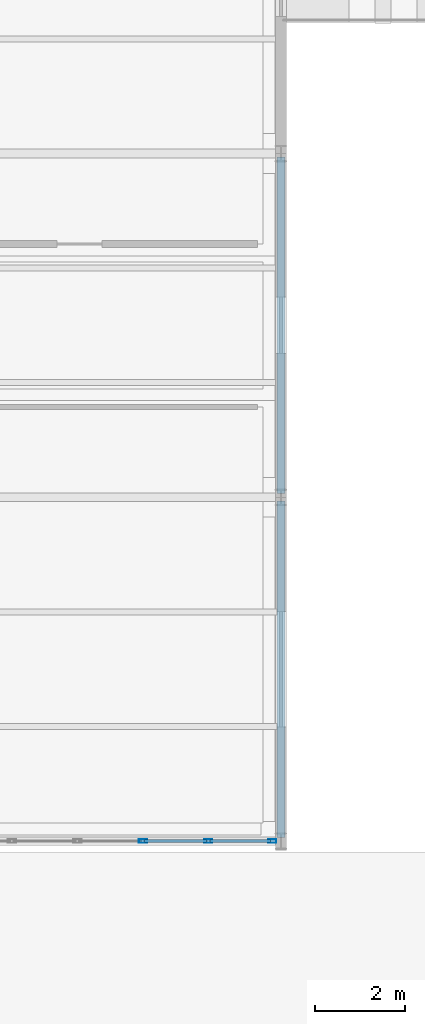
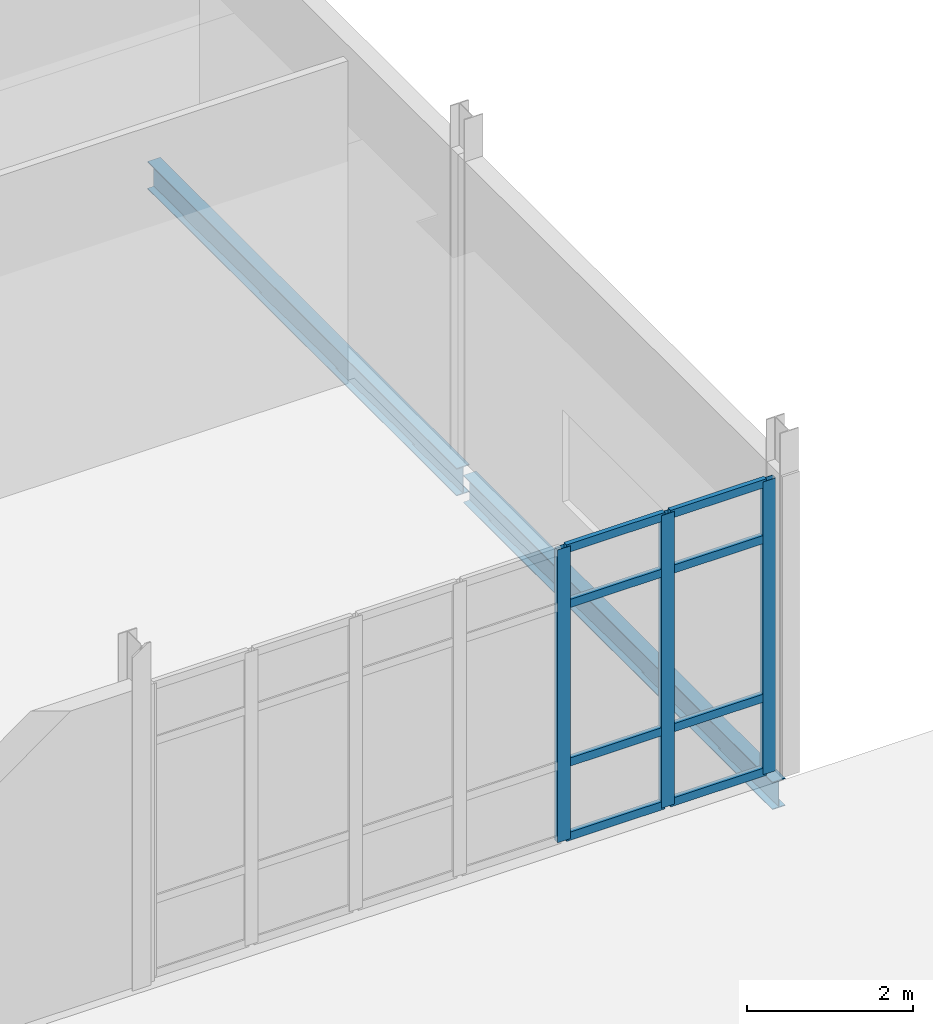
# One storey, part 86 of 161: 11 members, 2 beams, 1 element without a shape of its own.
"""IFC4 building model written with IfcOpenShell, lengths in metres."""

from ifc_helpers import new_model, si_unit, direction, frame, origin, origin_2d, place, context, subcontext, project, spatial, hollow_rectangle, i_section, extrude, material, material_profile, profile_set, type_object, element, aggregate, save


model = new_model("IFC4")

# Units and contexts
model_context = context("Model", 3, precision=1e-05, world=origin(), true_north=direction((0.0, 1.0)))
body_context = subcontext(model_context, "Body", "Model", "MODEL_VIEW")
ifc_project = project(units=[si_unit("LENGTHUNIT", "METRE"), si_unit("AREAUNIT", "SQUARE_METRE"), si_unit("VOLUMEUNIT", "CUBIC_METRE"), si_unit("PLANEANGLEUNIT", "RADIAN"), si_unit("MASSUNIT", "GRAM", prefix="KILO")], contexts=[model_context])

# Site, building, storey
site_placement = place(None, origin())
site = spatial("IfcSite", under=ifc_project, at=site_placement, CompositionType="ELEMENT")
building_placement = place(site_placement, origin())
building = spatial("IfcBuilding", under=site, at=building_placement, Name="Caisbarro Railhouse Central Library", CompositionType="ELEMENT")
storey_placement = place(building_placement, origin())
storey = spatial("IfcBuildingStorey", under=building, at=storey_placement, Name="L00", CompositionType="ELEMENT", Elevation=0.0)

# Beams
ifc_material_1 = material(Name="Steel ASTM A572 Grade 50", Category="steel")
ifc_material_profile_1 = material_profile(ifc_material_1, i_section(OverallWidth=0.177978515625, OverallDepth=0.406982421875, WebThickness=0.0078125, FlangeThickness=0.0126953125, FilletRadius=0.01611328125, at=origin_2d()), Name="W410X60.0")
ifc_profile_set_1 = profile_set([ifc_material_profile_1], Name="Steel ASTM A572 Grade 50")
beam_type = type_object("IfcBeamType", Name="BM-G10", PredefinedType="BEAM", material=ifc_profile_set_1)
beam_1_placement = place(storey_placement, frame((99.0, 83.679931640625, -0.45361328125), z_axis=(0.0, 1.0, 0.0), x_axis=(-1.0, 0.0, 0.0)))
element("IfcBeam", 1, at=beam_1_placement, inside=storey, type_object=beam_type, Name="G10 beam L00 #648", PredefinedType="BEAM", context=body_context, shape_type="SweptSolid", body=[
    extrude(i_section(OverallWidth=0.177978515625, OverallDepth=0.406982421875, WebThickness=0.0078125, FlangeThickness=0.0126953125, FilletRadius=0.01611328125, at=origin_2d()), origin(), (0.0, 0.0, 1.0), 7.440185546875),
])
beam_2_placement = place(storey_placement, frame((99.0, 91.280029296875, -0.45361328125), z_axis=(0.0, 1.0, 0.0), x_axis=(-1.0, 0.0, 0.0)))
element("IfcBeam", 2, at=beam_2_placement, inside=storey, type_object=beam_type, Name="G10 beam L00 #649", PredefinedType="BEAM", context=body_context, shape_type="SweptSolid", body=[
    extrude(i_section(OverallWidth=0.177978515625, OverallDepth=0.406982421875, WebThickness=0.0078125, FlangeThickness=0.0126953125, FilletRadius=0.01611328125, at=origin_2d()), origin(), (0.0, 0.0, 1.0), 7.43994140625),
])

# Curtain wall, members
ifc_material_2 = material(Name="Anodised architectural aluminium", Category="aluminium")
curtain_wall_type = type_object("IfcCurtainWallType", Name="CW-CW02", PredefinedType="NOTDEFINED", material=ifc_material_2)
curtain_wall_placement = place(storey_placement, origin())
curtain_wall = element("IfcCurtainWall", 3, at=curtain_wall_placement, inside=storey, type_object=curtain_wall_type, Name="CW02 curtain wall L00 #170", PredefinedType="NOTDEFINED")
ifc_material_profile_2 = material_profile(ifc_material_2, hollow_rectangle(XDim=0.074951171875, YDim=0.179931640625, WallThickness=0.00439453125, at=origin_2d()), Name="ALU-MUL-75X180")
ifc_profile_set_2 = profile_set([ifc_material_profile_2], Name="Anodised architectural aluminium")
member_type_1 = type_object("IfcMemberType", Name="CWM-M01", PredefinedType="MULLION", material=ifc_profile_set_2)
member_1_placement = place(storey_placement, frame((95.94677734375, 83.60009765625, 0.0), z_axis=(0.0, 0.0, 1.0), x_axis=(0.0, 1.0, 0.0)))
member_1 = element("IfcMember", 4, at=member_1_placement, type_object=member_type_1, Name="CW02 mullion 5", PredefinedType="MULLION", context=body_context, shape_type="SweptSolid", body=[
    extrude(hollow_rectangle(XDim=0.074951171875, YDim=0.179931640625, WallThickness=0.00439453125, at=origin_2d()), origin(), (0.0, 0.0, 1.0), 4.300048828125),
])
member_2_placement = place(storey_placement, frame((97.393310546875, 83.60009765625, 0.0), z_axis=(0.0, 0.0, 1.0), x_axis=(0.0, 1.0, 0.0)))
member_2 = element("IfcMember", 5, at=member_2_placement, type_object=member_type_1, Name="CW02 mullion 6", PredefinedType="MULLION", context=body_context, shape_type="SweptSolid", body=[
    extrude(hollow_rectangle(XDim=0.074951171875, YDim=0.179931640625, WallThickness=0.00439453125, at=origin_2d()), origin(), (0.0, 0.0, 1.0), 4.300048828125),
])
member_3_placement = place(storey_placement, frame((98.802490234375, 83.60009765625, 0.0), z_axis=(0.0, 0.0, 1.0), x_axis=(0.0, 1.0, 0.0)))
member_3 = element("IfcMember", 6, at=member_3_placement, type_object=member_type_1, Name="CW02 mullion 7", PredefinedType="MULLION", context=body_context, shape_type="SweptSolid", body=[
    extrude(hollow_rectangle(XDim=0.074951171875, YDim=0.179931640625, WallThickness=0.00439453125, at=origin_2d()), origin(), (0.0, 0.0, 1.0), 4.300048828125),
])
ifc_material_profile_3 = material_profile(ifc_material_2, hollow_rectangle(XDim=0.06494140625, YDim=0.1201171875, WallThickness=0.00341796875, at=origin_2d()), Name="ALU-TRN-65X120")
ifc_profile_set_3 = profile_set([ifc_material_profile_3], Name="Anodised architectural aluminium")
member_type_2 = type_object("IfcMemberType", Name="CWT-T02", PredefinedType="USERDEFINED", material=ifc_profile_set_3)
member_4_placement = place(storey_placement, frame((95.984130859375, 83.60009765625, 0.032470703125), z_axis=(1.0, 0.0, 0.0), x_axis=(0.0, 1.0, 0.0)))
member_4 = element("IfcMember", 7, at=member_4_placement, type_object=member_type_2, Name="CW02 transom 5.1", ObjectType="TRANSOM", PredefinedType="USERDEFINED", context=body_context, shape_type="SweptSolid", body=[
    extrude(hollow_rectangle(XDim=0.06494140625, YDim=0.1201171875, WallThickness=0.00341796875, at=origin_2d()), origin(), (0.0, 0.0, 1.0), 1.37158203125),
])
member_5_placement = place(storey_placement, frame((95.984130859375, 83.60009765625, 1.1201171875), z_axis=(1.0, 0.0, 0.0), x_axis=(0.0, 1.0, 0.0)))
member_5 = element("IfcMember", 8, at=member_5_placement, type_object=member_type_2, Name="CW02 transom 5.2", ObjectType="TRANSOM", PredefinedType="USERDEFINED", context=body_context, shape_type="SweptSolid", body=[
    extrude(hollow_rectangle(XDim=0.06494140625, YDim=0.1201171875, WallThickness=0.00341796875, at=origin_2d()), origin(), (0.0, 0.0, 1.0), 1.37158203125),
])
member_6_placement = place(storey_placement, frame((95.984130859375, 83.60009765625, 3.449951171875), z_axis=(1.0, 0.0, 0.0), x_axis=(0.0, 1.0, 0.0)))
member_6 = element("IfcMember", 9, at=member_6_placement, type_object=member_type_2, Name="CW02 transom 5.3", ObjectType="TRANSOM", PredefinedType="USERDEFINED", context=body_context, shape_type="SweptSolid", body=[
    extrude(hollow_rectangle(XDim=0.06494140625, YDim=0.1201171875, WallThickness=0.00341796875, at=origin_2d()), origin(), (0.0, 0.0, 1.0), 1.37158203125),
])
member_7_placement = place(storey_placement, frame((95.984130859375, 83.60009765625, 4.267578125), z_axis=(1.0, 0.0, 0.0), x_axis=(0.0, 1.0, 0.0)))
member_7 = element("IfcMember", 10, at=member_7_placement, type_object=member_type_2, Name="CW02 transom 5.4", ObjectType="TRANSOM", PredefinedType="USERDEFINED", context=body_context, shape_type="SweptSolid", body=[
    extrude(hollow_rectangle(XDim=0.06494140625, YDim=0.1201171875, WallThickness=0.00341796875, at=origin_2d()), origin(), (0.0, 0.0, 1.0), 1.37158203125),
])
member_8_placement = place(storey_placement, frame((97.430908203125, 83.60009765625, 0.032470703125), z_axis=(1.0, 0.0, 0.0), x_axis=(0.0, 1.0, 0.0)))
member_8 = element("IfcMember", 11, at=member_8_placement, type_object=member_type_2, Name="CW02 transom 6.1", ObjectType="TRANSOM", PredefinedType="USERDEFINED", context=body_context, shape_type="SweptSolid", body=[
    extrude(hollow_rectangle(XDim=0.06494140625, YDim=0.1201171875, WallThickness=0.00341796875, at=origin_2d()), origin(), (0.0, 0.0, 1.0), 1.333984375),
])
member_9_placement = place(storey_placement, frame((97.430908203125, 83.60009765625, 1.1201171875), z_axis=(1.0, 0.0, 0.0), x_axis=(0.0, 1.0, 0.0)))
member_9 = element("IfcMember", 12, at=member_9_placement, type_object=member_type_2, Name="CW02 transom 6.2", ObjectType="TRANSOM", PredefinedType="USERDEFINED", context=body_context, shape_type="SweptSolid", body=[
    extrude(hollow_rectangle(XDim=0.06494140625, YDim=0.1201171875, WallThickness=0.00341796875, at=origin_2d()), origin(), (0.0, 0.0, 1.0), 1.333984375),
])
member_10_placement = place(storey_placement, frame((97.430908203125, 83.60009765625, 3.449951171875), z_axis=(1.0, 0.0, 0.0), x_axis=(0.0, 1.0, 0.0)))
member_10 = element("IfcMember", 13, at=member_10_placement, type_object=member_type_2, Name="CW02 transom 6.3", ObjectType="TRANSOM", PredefinedType="USERDEFINED", context=body_context, shape_type="SweptSolid", body=[
    extrude(hollow_rectangle(XDim=0.06494140625, YDim=0.1201171875, WallThickness=0.00341796875, at=origin_2d()), origin(), (0.0, 0.0, 1.0), 1.333984375),
])
member_11_placement = place(storey_placement, frame((97.430908203125, 83.60009765625, 4.267578125), z_axis=(1.0, 0.0, 0.0), x_axis=(0.0, 1.0, 0.0)))
member_11 = element("IfcMember", 14, at=member_11_placement, type_object=member_type_2, Name="CW02 transom 6.4", ObjectType="TRANSOM", PredefinedType="USERDEFINED", context=body_context, shape_type="SweptSolid", body=[
    extrude(hollow_rectangle(XDim=0.06494140625, YDim=0.1201171875, WallThickness=0.00341796875, at=origin_2d()), origin(), (0.0, 0.0, 1.0), 1.333984375),
])
aggregate(curtain_wall, [member_1, member_2, member_3, member_4, member_5, member_6, member_7, member_8, member_9, member_10, member_11])

save(model, "model.ifc")
